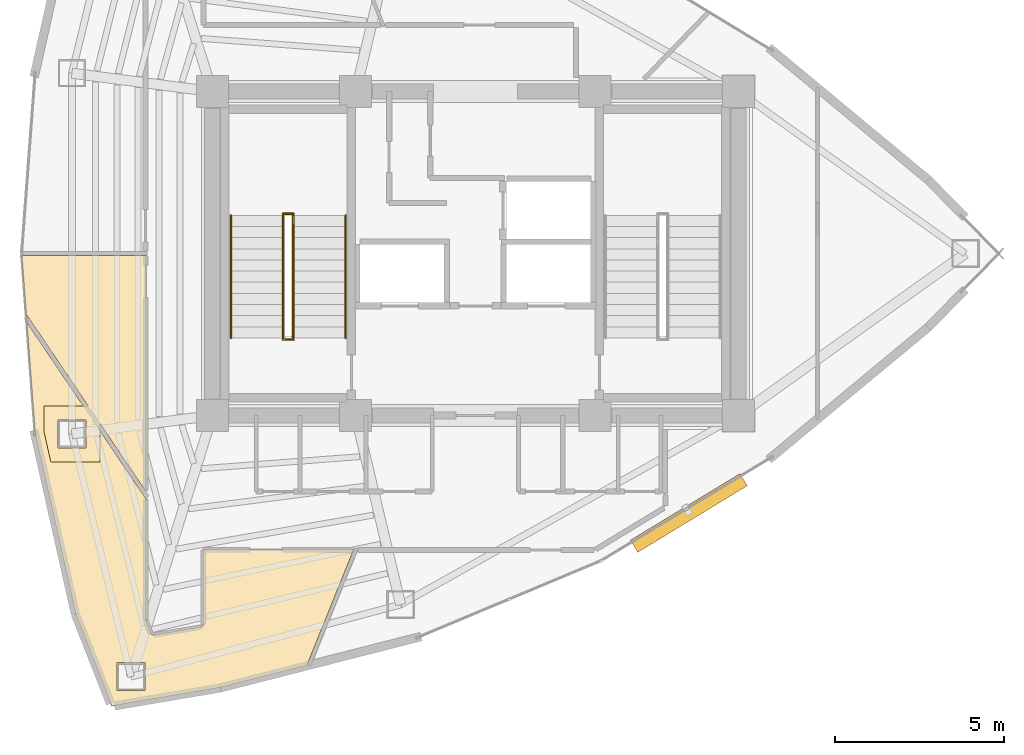
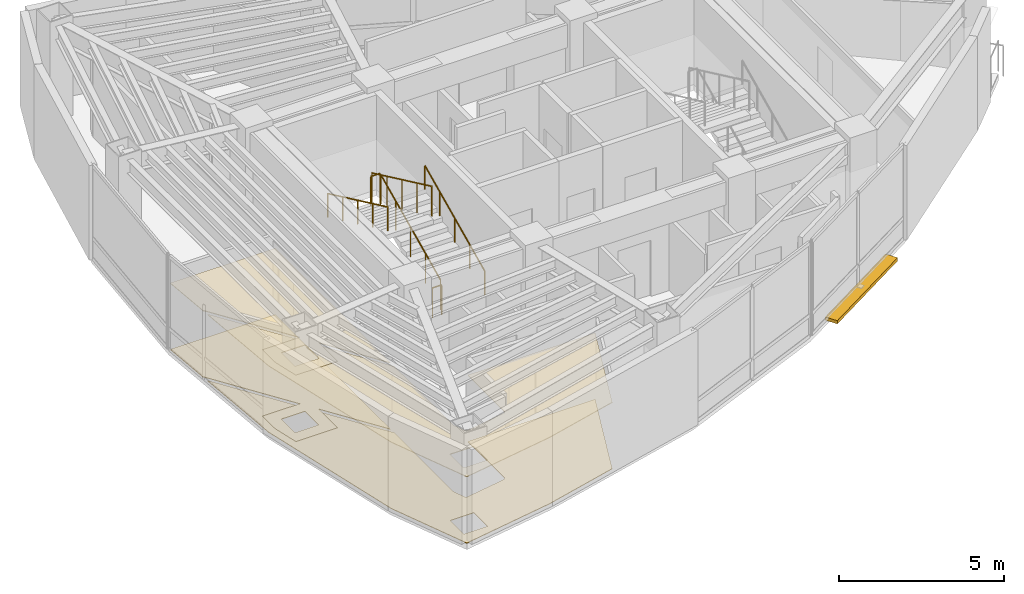
# One storey, part 14 of 15: 6 railings, 4 coverings, 1 shading device.
"""IFC4 building model written with IfcOpenShell, lengths in metres."""

from ifc_helpers import new_model, si_unit, direction, frame, origin, origin_2d, place, context, subcontext, project, spatial, polyline, rectangle, circle, outline, extrude, material, layer, layer_set, type_object, element, save


model = new_model("IFC4")

# Units and contexts
model_context = context("Model", 3, precision=1e-05, world=origin(), true_north=direction((0.0, 1.0)))
body_context = subcontext(model_context, "Body", "Model", "MODEL_VIEW")
ifc_project = project(units=[si_unit("LENGTHUNIT", "METRE"), si_unit("AREAUNIT", "SQUARE_METRE"), si_unit("VOLUMEUNIT", "CUBIC_METRE"), si_unit("PLANEANGLEUNIT", "RADIAN"), si_unit("MASSUNIT", "GRAM", prefix="KILO")], contexts=[model_context])

# Site, building, storey
site_placement = place(None, origin())
site = spatial("IfcSite", under=ifc_project, at=site_placement, CompositionType="ELEMENT")
building_placement = place(site_placement, origin())
building = spatial("IfcBuilding", under=site, at=building_placement, Name="Menara Vayukalpa", CompositionType="ELEMENT")
storey_placement = place(building_placement, frame((0.0, 0.0, 269.4599609375)))
storey = spatial("IfcBuildingStorey", under=building, at=storey_placement, Name="L68", CompositionType="ELEMENT", Elevation=269.4599609375)

# Coverings
ifc_material_1 = material(Name="Mineral Fibre Acoustic Ceiling Tile", Category="masonry")
ifc_layer_1 = layer(ifc_material_1, 0.02490234375)
ifc_layer_set_1 = layer_set([ifc_layer_1], Name="Mineral Fibre Acoustic Ceiling Tile")
covering_type_1 = type_object("IfcCoveringType", Name="COV-CLG1", PredefinedType="CEILING", material=ifc_layer_set_1)
covering_1_placement = place(storey_placement, frame((0.0, 0.0, 2.449951171875)))
element("IfcCovering", 1, at=covering_1_placement, inside=storey, type_object=covering_type_1, Name="L68 Executive Office Suite Acoustic Ceiling", PredefinedType="CEILING", context=body_context, shape_type="SweptSolid", body=[
    extrude(outline(polyline([(12.803955078125, 16.86376953125), (12.803955078125, 17.48828125), (14.115478515625, 17.48828125), (12.31884765625, 20.15185546875), (12.315185546875, 20.15673828125), (12.311279296875, 20.1611328125), (12.306884765625, 20.1650390625), (12.30224609375, 20.16845703125), (12.297119140625, 20.17138671875), (12.291748046875, 20.174072265625), (12.290771484375, 20.174560546875), (12.289794921875, 20.1748046875), (12.288818359375, 20.17529296875), (12.2880859375, 20.176025390625), (12.287353515625, 20.1767578125), (12.28662109375, 20.177490234375), (12.285888671875, 20.17822265625), (12.285400390625, 20.17919921875), (12.284912109375, 20.18017578125), (12.28466796875, 20.180908203125), (12.284423828125, 20.181884765625), (12.2841796875, 20.18310546875), (12.1533203125, 21.92919921875), (12.1533203125, 21.93017578125), (12.1533203125, 21.93115234375), (12.153564453125, 21.93212890625), (12.15380859375, 21.93310546875), (12.154052734375, 21.93408203125), (12.154541015625, 21.934814453125), (12.155029296875, 21.935791015625), (12.155517578125, 21.936279296875), (12.15625, 21.93701171875), (12.156982421875, 21.937744140625), (12.15771484375, 21.9384765625), (12.15869140625, 21.93896484375), (12.159423828125, 21.939208984375), (12.160400390625, 21.939697265625), (12.161376953125, 21.939697265625), (12.162353515625, 21.93994140625), (12.163330078125, 21.93994140625), (15.820068359375, 21.93994140625), (15.821044921875, 21.93994140625), (15.822021484375, 21.939697265625), (15.822998046875, 21.939697265625), (15.82373046875, 21.939208984375), (15.82470703125, 21.938720703125), (15.82568359375, 21.938232421875), (15.826416015625, 21.937744140625), (15.8271484375, 21.93701171875), (15.82763671875, 21.936279296875), (15.828369140625, 21.935546875), (15.828857421875, 21.934814453125), (15.8291015625, 21.933837890625), (15.82958984375, 21.932861328125), (15.829833984375, 21.931884765625), (15.830078125, 21.930908203125), (15.830078125, 21.929931640625), (15.830078125, 14.979248046875), (15.830078125, 14.978271484375), (15.829833984375, 14.977294921875), (15.82958984375, 14.976318359375), (15.8291015625, 14.975341796875), (15.828857421875, 14.974609375), (15.828369140625, 14.9736328125), (15.82763671875, 14.972900390625), (15.8271484375, 14.97216796875), (15.826416015625, 14.971435546875), (15.82568359375, 14.970947265625), (15.82470703125, 14.970458984375), (15.82373046875, 14.969970703125), (15.822998046875, 14.969482421875), (15.822021484375, 14.969482421875), (15.821044921875, 14.96923828125), (15.820068359375, 14.96923828125), (15.819091796875, 14.96923828125), (15.818115234375, 14.969482421875), (15.817138671875, 14.969482421875), (15.816162109375, 14.969970703125), (15.815185546875, 14.970458984375), (15.814453125, 14.970947265625), (15.813720703125, 14.971435546875), (15.81298828125, 14.97216796875), (15.812255859375, 14.972900390625), (15.811767578125, 14.9736328125), (14.47412109375, 16.956787109375), (14.47412109375, 15.818359375), (13.013916015625, 15.818359375), (12.816650390625, 16.694580078125), (12.803955078125, 16.86376953125)]), holes=[polyline([(14.053955078125, 17.068359375), (13.22412109375, 17.068359375), (13.22412109375, 16.23828125), (14.053955078125, 16.23828125), (14.053955078125, 17.068359375)])]), origin(), (0.0, 0.0, 1.0), 0.025146484375),
])
covering_2_placement = place(storey_placement, frame((0.0, 0.0, 2.449951171875)))
element("IfcCovering", 2, at=covering_2_placement, inside=storey, type_object=covering_type_1, Name="L68 Executive Office Suite Acoustic Ceiling", PredefinedType="CEILING", context=body_context, shape_type="SweptSolid", body=[
    extrude(outline(polyline([(14.827392578125, 8.589111328125), (14.826416015625, 8.589111328125), (14.82568359375, 8.58935546875), (14.82470703125, 8.58935546875), (14.82373046875, 8.589599609375), (14.82275390625, 8.590087890625), (14.822021484375, 8.590576171875), (14.821044921875, 8.591064453125), (14.8203125, 8.591552734375), (14.819580078125, 8.59228515625), (14.81884765625, 8.593017578125), (14.818359375, 8.59375), (14.81787109375, 8.5947265625), (14.8173828125, 8.595458984375), (13.751953125, 11.308837890625), (13.751708984375, 11.309814453125), (13.75146484375, 11.310302734375), (12.549072265625, 16.654052734375), (12.548828125, 16.655517578125), (12.303466796875, 19.9267578125), (12.303466796875, 19.927734375), (12.3037109375, 19.9287109375), (12.3037109375, 19.9296875), (12.303955078125, 19.9306640625), (12.30419921875, 19.931396484375), (12.3046875, 19.932373046875), (12.305419921875, 19.93310546875), (12.305908203125, 19.93408203125), (12.306396484375, 19.934814453125), (12.307373046875, 19.935302734375), (12.30810546875, 19.935791015625), (12.308837890625, 19.936279296875), (12.309814453125, 19.936767578125), (12.310791015625, 19.93701171875), (12.3115234375, 19.937255859375), (12.3125, 19.9375), (12.313720703125, 19.9375), (12.314453125, 19.9375), (12.3154296875, 19.937255859375), (12.31640625, 19.93701171875), (12.3173828125, 19.936767578125), (12.318115234375, 19.936279296875), (12.319091796875, 19.935791015625), (12.31982421875, 19.935302734375), (12.320556640625, 19.9345703125), (12.3212890625, 19.933837890625), (12.32177734375, 19.93310546875), (13.970703125, 17.48828125), (14.47412109375, 17.48828125), (14.47412109375, 16.7421875), (15.8203125, 14.74658203125), (15.82373046875, 14.74169921875), (15.827392578125, 14.73779296875), (15.827880859375, 14.737060546875), (15.82861328125, 14.736083984375), (15.8291015625, 14.7353515625), (15.829345703125, 14.734619140625), (15.82958984375, 14.733642578125), (15.829833984375, 14.73291015625), (15.830078125, 14.73193359375), (15.830078125, 14.73095703125), (15.830078125, 11.146484375), (15.830322265625, 11.1396484375), (15.831298828125, 11.13330078125), (15.832763671875, 11.126708984375), (15.8349609375, 11.12060546875), (15.984619140625, 10.7392578125), (15.987548828125, 10.732666015625), (15.990966796875, 10.726806640625), (15.994873046875, 10.72119140625), (15.999267578125, 10.716064453125), (16.00439453125, 10.71142578125), (16.009765625, 10.707275390625), (16.015625, 10.70361328125), (16.021484375, 10.700439453125), (16.02783203125, 10.697998046875), (16.034423828125, 10.6962890625), (16.041259765625, 10.695068359375), (16.048095703125, 10.694580078125), (16.054931640625, 10.694580078125), (16.06201171875, 10.695556640625), (17.471435546875, 10.934814453125), (17.478515625, 10.936279296875), (17.485107421875, 10.938720703125), (17.49169921875, 10.94140625), (17.497802734375, 10.94482421875), (17.50341796875, 10.94921875), (17.5087890625, 10.95361328125), (17.513427734375, 10.958740234375), (17.517822265625, 10.96435546875), (17.521484375, 10.97021484375), (17.5244140625, 10.9765625), (17.52685546875, 10.983154296875), (17.528564453125, 10.989990234375), (17.529541015625, 10.996826171875), (17.530029296875, 11.004150390625), (17.530029296875, 13.2099609375), (17.530029296875, 13.2109375), (17.5302734375, 13.2119140625), (17.530517578125, 13.212890625), (17.53076171875, 13.2138671875), (17.53125, 13.214599609375), (17.53173828125, 13.215576171875), (17.5322265625, 13.21630859375), (17.532958984375, 13.217041015625), (17.53369140625, 13.2177734375), (17.534423828125, 13.21826171875), (17.535400390625, 13.21875), (17.5361328125, 13.21923828125), (17.537109375, 13.219482421875), (17.5380859375, 13.2197265625), (17.5390625, 13.219970703125), (17.5400390625, 13.219970703125), (21.97314453125, 13.219970703125), (21.97412109375, 13.219970703125), (21.97509765625, 13.2197265625), (21.97607421875, 13.219482421875), (21.976806640625, 13.21923828125), (21.977783203125, 13.21875), (21.978515625, 13.21826171875), (21.9794921875, 13.2177734375), (21.97998046875, 13.217041015625), (21.980712890625, 13.21630859375), (21.9814453125, 13.215576171875), (21.98193359375, 13.21484375), (21.982421875, 13.2138671875), (21.982666015625, 13.212890625), (21.98291015625, 13.2119140625), (21.98291015625, 13.2109375), (21.983154296875, 13.210205078125), (21.983154296875, 13.208984375), (21.98291015625, 13.2080078125), (21.982666015625, 13.207275390625), (21.982421875, 13.206298828125), (20.60888671875, 9.80712890625), (20.60693359375, 9.80126953125), (20.605712890625, 9.79541015625), (20.60546875, 9.79443359375), (20.60498046875, 9.793701171875), (20.6044921875, 9.792724609375), (20.60400390625, 9.7919921875), (20.603515625, 9.791015625), (20.602783203125, 9.790283203125), (20.601806640625, 9.789794921875), (20.60107421875, 9.789306640625), (20.60009765625, 9.788818359375), (20.599365234375, 9.788330078125), (20.598388671875, 9.7880859375), (18.028564453125, 9.1328125), (18.027587890625, 9.132568359375), (14.82861328125, 8.58935546875), (14.827392578125, 8.589111328125)]), holes=[polyline([(14.97412109375, 9.870361328125), (14.97412109375, 9.040283203125), (15.80419921875, 9.040283203125), (15.80419921875, 9.870361328125), (14.97412109375, 9.870361328125)]), polyline([(14.053955078125, 17.068359375), (13.22412109375, 17.068359375), (13.22412109375, 16.23828125), (14.053955078125, 16.23828125), (14.053955078125, 17.068359375)])]), origin(), (0.0, 0.0, 1.0), 0.025146484375),
])
ifc_material_2 = material(Name="Porcelain Stoneware Floor Tile", Category="masonry")
ifc_layer_2 = layer(ifc_material_2, 0.02001953125)
ifc_layer_set_2 = layer_set([ifc_layer_2], Name="Porcelain Stoneware Floor Tile")
covering_type_2 = type_object("IfcCoveringType", Name="COV-FLR1", PredefinedType="FLOORING", material=ifc_layer_set_2)
covering_3_placement = place(storey_placement, origin())
element("IfcCovering", 3, at=covering_3_placement, inside=storey, type_object=covering_type_2, Name="L68 Executive Office Suite Porcelain Flooring", PredefinedType="FLOORING", context=body_context, shape_type="SweptSolid", body=[
    extrude(outline(polyline([(12.803955078125, 16.86376953125), (12.803955078125, 17.48828125), (14.115478515625, 17.48828125), (12.31884765625, 20.15185546875), (12.315185546875, 20.15673828125), (12.311279296875, 20.1611328125), (12.306884765625, 20.1650390625), (12.30224609375, 20.16845703125), (12.297119140625, 20.17138671875), (12.291748046875, 20.174072265625), (12.290771484375, 20.174560546875), (12.289794921875, 20.1748046875), (12.288818359375, 20.17529296875), (12.2880859375, 20.176025390625), (12.287353515625, 20.1767578125), (12.28662109375, 20.177490234375), (12.285888671875, 20.17822265625), (12.285400390625, 20.17919921875), (12.284912109375, 20.18017578125), (12.28466796875, 20.180908203125), (12.284423828125, 20.181884765625), (12.2841796875, 20.18310546875), (12.1533203125, 21.92919921875), (12.1533203125, 21.93017578125), (12.1533203125, 21.93115234375), (12.153564453125, 21.93212890625), (12.15380859375, 21.93310546875), (12.154052734375, 21.93408203125), (12.154541015625, 21.934814453125), (12.155029296875, 21.935791015625), (12.155517578125, 21.936279296875), (12.15625, 21.93701171875), (12.156982421875, 21.937744140625), (12.15771484375, 21.9384765625), (12.15869140625, 21.93896484375), (12.159423828125, 21.939208984375), (12.160400390625, 21.939697265625), (12.161376953125, 21.939697265625), (12.162353515625, 21.93994140625), (12.163330078125, 21.93994140625), (15.820068359375, 21.93994140625), (15.821044921875, 21.93994140625), (15.822021484375, 21.939697265625), (15.822998046875, 21.939697265625), (15.82373046875, 21.939208984375), (15.82470703125, 21.938720703125), (15.82568359375, 21.938232421875), (15.826416015625, 21.937744140625), (15.8271484375, 21.93701171875), (15.82763671875, 21.936279296875), (15.828369140625, 21.935546875), (15.828857421875, 21.934814453125), (15.8291015625, 21.933837890625), (15.82958984375, 21.932861328125), (15.829833984375, 21.931884765625), (15.830078125, 21.930908203125), (15.830078125, 21.929931640625), (15.830078125, 14.979248046875), (15.830078125, 14.978271484375), (15.829833984375, 14.977294921875), (15.82958984375, 14.976318359375), (15.8291015625, 14.975341796875), (15.828857421875, 14.974609375), (15.828369140625, 14.9736328125), (15.82763671875, 14.972900390625), (15.8271484375, 14.97216796875), (15.826416015625, 14.971435546875), (15.82568359375, 14.970947265625), (15.82470703125, 14.970458984375), (15.82373046875, 14.969970703125), (15.822998046875, 14.969482421875), (15.822021484375, 14.969482421875), (15.821044921875, 14.96923828125), (15.820068359375, 14.96923828125), (15.819091796875, 14.96923828125), (15.818115234375, 14.969482421875), (15.817138671875, 14.969482421875), (15.816162109375, 14.969970703125), (15.815185546875, 14.970458984375), (15.814453125, 14.970947265625), (15.813720703125, 14.971435546875), (15.81298828125, 14.97216796875), (15.812255859375, 14.972900390625), (15.811767578125, 14.9736328125), (14.47412109375, 16.956787109375), (14.47412109375, 15.818359375), (13.013916015625, 15.818359375), (12.816650390625, 16.694580078125), (12.803955078125, 16.86376953125)]), holes=[polyline([(14.053955078125, 17.068359375), (13.22412109375, 17.068359375), (13.22412109375, 16.23828125), (14.053955078125, 16.23828125), (14.053955078125, 17.068359375)])]), origin(), (0.0, 0.0, 1.0), 0.02001953125),
])
covering_4_placement = place(storey_placement, origin())
element("IfcCovering", 4, at=covering_4_placement, inside=storey, type_object=covering_type_2, Name="L68 Executive Office Suite Porcelain Flooring", PredefinedType="FLOORING", context=body_context, shape_type="SweptSolid", body=[
    extrude(outline(polyline([(14.827392578125, 8.589111328125), (14.826416015625, 8.589111328125), (14.82568359375, 8.58935546875), (14.82470703125, 8.58935546875), (14.82373046875, 8.589599609375), (14.82275390625, 8.590087890625), (14.822021484375, 8.590576171875), (14.821044921875, 8.591064453125), (14.8203125, 8.591552734375), (14.819580078125, 8.59228515625), (14.81884765625, 8.593017578125), (14.818359375, 8.59375), (14.81787109375, 8.5947265625), (14.8173828125, 8.595458984375), (13.751953125, 11.308837890625), (13.751708984375, 11.309814453125), (13.75146484375, 11.310302734375), (12.549072265625, 16.654052734375), (12.548828125, 16.655517578125), (12.303466796875, 19.9267578125), (12.303466796875, 19.927734375), (12.3037109375, 19.9287109375), (12.3037109375, 19.9296875), (12.303955078125, 19.9306640625), (12.30419921875, 19.931396484375), (12.3046875, 19.932373046875), (12.305419921875, 19.93310546875), (12.305908203125, 19.93408203125), (12.306396484375, 19.934814453125), (12.307373046875, 19.935302734375), (12.30810546875, 19.935791015625), (12.308837890625, 19.936279296875), (12.309814453125, 19.936767578125), (12.310791015625, 19.93701171875), (12.3115234375, 19.937255859375), (12.3125, 19.9375), (12.313720703125, 19.9375), (12.314453125, 19.9375), (12.3154296875, 19.937255859375), (12.31640625, 19.93701171875), (12.3173828125, 19.936767578125), (12.318115234375, 19.936279296875), (12.319091796875, 19.935791015625), (12.31982421875, 19.935302734375), (12.320556640625, 19.9345703125), (12.3212890625, 19.933837890625), (12.32177734375, 19.93310546875), (13.970703125, 17.48828125), (14.47412109375, 17.48828125), (14.47412109375, 16.7421875), (15.8203125, 14.74658203125), (15.82373046875, 14.74169921875), (15.827392578125, 14.73779296875), (15.827880859375, 14.737060546875), (15.82861328125, 14.736083984375), (15.8291015625, 14.7353515625), (15.829345703125, 14.734619140625), (15.82958984375, 14.733642578125), (15.829833984375, 14.73291015625), (15.830078125, 14.73193359375), (15.830078125, 14.73095703125), (15.830078125, 11.146484375), (15.830322265625, 11.1396484375), (15.831298828125, 11.13330078125), (15.832763671875, 11.126708984375), (15.8349609375, 11.12060546875), (15.984619140625, 10.7392578125), (15.987548828125, 10.732666015625), (15.990966796875, 10.726806640625), (15.994873046875, 10.72119140625), (15.999267578125, 10.716064453125), (16.00439453125, 10.71142578125), (16.009765625, 10.707275390625), (16.015625, 10.70361328125), (16.021484375, 10.700439453125), (16.02783203125, 10.697998046875), (16.034423828125, 10.6962890625), (16.041259765625, 10.695068359375), (16.048095703125, 10.694580078125), (16.054931640625, 10.694580078125), (16.06201171875, 10.695556640625), (17.471435546875, 10.934814453125), (17.478515625, 10.936279296875), (17.485107421875, 10.938720703125), (17.49169921875, 10.94140625), (17.497802734375, 10.94482421875), (17.50341796875, 10.94921875), (17.5087890625, 10.95361328125), (17.513427734375, 10.958740234375), (17.517822265625, 10.96435546875), (17.521484375, 10.97021484375), (17.5244140625, 10.9765625), (17.52685546875, 10.983154296875), (17.528564453125, 10.989990234375), (17.529541015625, 10.996826171875), (17.530029296875, 11.004150390625), (17.530029296875, 13.2099609375), (17.530029296875, 13.2109375), (17.5302734375, 13.2119140625), (17.530517578125, 13.212890625), (17.53076171875, 13.2138671875), (17.53125, 13.214599609375), (17.53173828125, 13.215576171875), (17.5322265625, 13.21630859375), (17.532958984375, 13.217041015625), (17.53369140625, 13.2177734375), (17.534423828125, 13.21826171875), (17.535400390625, 13.21875), (17.5361328125, 13.21923828125), (17.537109375, 13.219482421875), (17.5380859375, 13.2197265625), (17.5390625, 13.219970703125), (17.5400390625, 13.219970703125), (21.97314453125, 13.219970703125), (21.97412109375, 13.219970703125), (21.97509765625, 13.2197265625), (21.97607421875, 13.219482421875), (21.976806640625, 13.21923828125), (21.977783203125, 13.21875), (21.978515625, 13.21826171875), (21.9794921875, 13.2177734375), (21.97998046875, 13.217041015625), (21.980712890625, 13.21630859375), (21.9814453125, 13.215576171875), (21.98193359375, 13.21484375), (21.982421875, 13.2138671875), (21.982666015625, 13.212890625), (21.98291015625, 13.2119140625), (21.98291015625, 13.2109375), (21.983154296875, 13.210205078125), (21.983154296875, 13.208984375), (21.98291015625, 13.2080078125), (21.982666015625, 13.207275390625), (21.982421875, 13.206298828125), (20.60888671875, 9.80712890625), (20.60693359375, 9.80126953125), (20.605712890625, 9.79541015625), (20.60546875, 9.79443359375), (20.60498046875, 9.793701171875), (20.6044921875, 9.792724609375), (20.60400390625, 9.7919921875), (20.603515625, 9.791015625), (20.602783203125, 9.790283203125), (20.601806640625, 9.789794921875), (20.60107421875, 9.789306640625), (20.60009765625, 9.788818359375), (20.599365234375, 9.788330078125), (20.598388671875, 9.7880859375), (18.028564453125, 9.1328125), (18.027587890625, 9.132568359375), (14.82861328125, 8.58935546875), (14.827392578125, 8.589111328125)]), holes=[polyline([(14.97412109375, 9.870361328125), (14.97412109375, 9.040283203125), (15.80419921875, 9.040283203125), (15.80419921875, 9.870361328125), (14.97412109375, 9.870361328125)]), polyline([(14.053955078125, 17.068359375), (13.22412109375, 17.068359375), (13.22412109375, 16.23828125), (14.053955078125, 16.23828125), (14.053955078125, 17.068359375)])]), origin(), (0.0, 0.0, 1.0), 0.02001953125),
])

# Railings
ifc_material_3 = material(Name="Powder-Coated Galvanised Steel Guardrail", Category="steel")
railing_type_1 = type_object("IfcRailingType", Name="RLG-STG110", PredefinedType="GUARDRAIL", material=ifc_material_3)
railing_1_placement = place(storey_placement, frame((20.199951171875, 19.5, 0.155029296875)))
element("IfcRailing", 5, at=railing_1_placement, inside=storey, type_object=railing_type_1, Name="L68 ST-1 stair guard 1", PredefinedType="GUARDRAIL", context=body_context, shape_type="SweptSolid", body=[
    extrude(circle(Radius=0.02392578125, at=origin_2d()), frame((0.0, 0.0, 1.09619140625), z_axis=(0.0, 0.90511648382, 0.425163675209), x_axis=(-1.0, 0.0, 0.0)), (0.0, 0.0, 1.0), 4.010498046875),
    extrude(circle(Radius=0.02099609375, at=origin_2d()), origin(), (0.0, 0.0, 1.0), 1.072021484375),
    extrude(circle(Radius=0.02099609375, at=origin_2d()), frame((0.0, 0.907470703125, 0.42626953125)), (0.0, 0.0, 1.0), 1.072021484375),
    extrude(circle(Radius=0.02099609375, at=origin_2d()), frame((0.0, 1.81494140625, 0.8525390625)), (0.0, 0.0, 1.0), 1.072021484375),
    extrude(circle(Radius=0.02099609375, at=origin_2d()), frame((0.0, 2.722412109375, 1.27880859375)), (0.0, 0.0, 1.0), 1.072021484375),
    extrude(circle(Radius=0.02099609375, at=origin_2d()), frame((0.0, 3.6298828125, 1.705078125)), (0.0, 0.0, 1.0), 1.072021484375),
])
railing_2_placement = place(storey_placement, frame((20.2099609375, 23.179931640625, 1.860107421875)))
element("IfcRailing", 6, at=railing_2_placement, inside=storey, type_object=railing_type_1, Name="L68 ST-1 stair guard 2", PredefinedType="GUARDRAIL", context=body_context, shape_type="SweptSolid", body=[
    extrude(circle(Radius=0.02392578125, at=origin_2d()), frame((0.0, 0.0, 1.09619140625), z_axis=(-1.0, 0.0, 0.0), x_axis=(0.0, -1.0, 0.0)), (0.0, 0.0, 1.0), 0.320068359375),
    extrude(circle(Radius=0.02099609375, at=origin_2d()), origin(), (0.0, 0.0, 1.0), 1.072021484375),
    extrude(circle(Radius=0.02099609375, at=origin_2d()), frame((-0.320068359375, 0.0, 0.0)), (0.0, 0.0, 1.0), 1.072021484375),
])
railing_3_placement = place(storey_placement, frame((19.89990234375, 23.1298828125, 2.01513671875)))
element("IfcRailing", 7, at=railing_3_placement, inside=storey, type_object=railing_type_1, Name="L68 ST-1 stair guard 3", PredefinedType="GUARDRAIL", context=body_context, shape_type="SweptSolid", body=[
    extrude(circle(Radius=0.02392578125, at=origin_2d()), frame((0.0, 0.0, 1.09619140625), z_axis=(0.0, -0.90513990983, 0.425113800803), x_axis=(1.0, 0.0, 0.0)), (0.0, 0.0, 1.0), 4.01025390625),
    extrude(circle(Radius=0.02099609375, at=origin_2d()), origin(), (0.0, 0.0, 1.0), 1.072021484375),
    extrude(circle(Radius=0.02099609375, at=origin_2d()), frame((0.0, -0.907470703125, 0.42626953125)), (0.0, 0.0, 1.0), 1.072021484375),
    extrude(circle(Radius=0.02099609375, at=origin_2d()), frame((0.0, -1.81494140625, 0.8525390625)), (0.0, 0.0, 1.0), 1.072021484375),
    extrude(circle(Radius=0.02099609375, at=origin_2d()), frame((0.0, -2.722412109375, 1.278564453125)), (0.0, 0.0, 1.0), 1.072021484375),
    extrude(circle(Radius=0.02099609375, at=origin_2d()), frame((0.0, -3.6298828125, 1.704833984375)), (0.0, 0.0, 1.0), 1.072021484375),
])
railing_4_placement = place(storey_placement, frame((20.2099609375, 19.449951171875, 0.0)))
element("IfcRailing", 8, at=railing_4_placement, inside=storey, type_object=railing_type_1, Name="L68 ST-1 stair guard 4", PredefinedType="GUARDRAIL", context=body_context, shape_type="SweptSolid", body=[
    extrude(circle(Radius=0.02392578125, at=origin_2d()), frame((0.0, 0.0, 1.09619140625), z_axis=(-1.0, 0.0, 0.0), x_axis=(0.0, -1.0, 0.0)), (0.0, 0.0, 1.0), 0.320068359375),
    extrude(circle(Radius=0.02099609375, at=origin_2d()), origin(), (0.0, 0.0, 1.0), 1.072021484375),
    extrude(circle(Radius=0.02099609375, at=origin_2d()), frame((-0.320068359375, 0.0, 0.0)), (0.0, 0.0, 1.0), 1.072021484375),
])
ifc_material_4 = material(Name="Stainless Steel 316 Tubular Handrail", Category="steel")
railing_type_2 = type_object("IfcRailingType", Name="RLG-STH090", PredefinedType="HANDRAIL", material=ifc_material_4)
railing_5_placement = place(storey_placement, frame((21.75, 19.5, 0.155029296875)))
element("IfcRailing", 9, at=railing_5_placement, inside=storey, type_object=railing_type_2, Name="L68 ST-1 stair handrail 1", PredefinedType="HANDRAIL", context=body_context, shape_type="SweptSolid", body=[
    extrude(circle(Radius=0.02392578125, at=origin_2d()), frame((0.0, 0.0, 0.8759765625), z_axis=(0.0, 0.90511648382, 0.425163675209), x_axis=(-1.0, 0.0, 0.0)), (0.0, 0.0, 1.0), 4.010498046875),
    extrude(circle(Radius=0.02099609375, at=origin_2d()), origin(), (0.0, 0.0, 1.0), 0.851806640625),
    extrude(circle(Radius=0.02099609375, at=origin_2d()), frame((0.0, 0.907470703125, 0.42626953125)), (0.0, 0.0, 1.0), 0.851806640625),
    extrude(circle(Radius=0.02099609375, at=origin_2d()), frame((0.0, 1.81494140625, 0.8525390625)), (0.0, 0.0, 1.0), 0.851806640625),
    extrude(circle(Radius=0.02099609375, at=origin_2d()), frame((0.0, 2.722412109375, 1.27880859375)), (0.0, 0.0, 1.0), 0.851806640625),
    extrude(circle(Radius=0.02099609375, at=origin_2d()), frame((0.0, 3.6298828125, 1.705078125)), (0.0, 0.0, 1.0), 0.851806640625),
])
railing_6_placement = place(storey_placement, frame((18.35009765625, 23.1298828125, 2.01513671875)))
element("IfcRailing", 10, at=railing_6_placement, inside=storey, type_object=railing_type_2, Name="L68 ST-1 stair handrail 2", PredefinedType="HANDRAIL", context=body_context, shape_type="SweptSolid", body=[
    extrude(circle(Radius=0.02392578125, at=origin_2d()), frame((0.0, 0.0, 0.8759765625), z_axis=(0.0, -0.90513990983, 0.425113800803), x_axis=(1.0, 0.0, 0.0)), (0.0, 0.0, 1.0), 4.01025390625),
    extrude(circle(Radius=0.02099609375, at=origin_2d()), origin(), (0.0, 0.0, 1.0), 0.851806640625),
    extrude(circle(Radius=0.02099609375, at=origin_2d()), frame((0.0, -0.907470703125, 0.42626953125)), (0.0, 0.0, 1.0), 0.851806640625),
    extrude(circle(Radius=0.02099609375, at=origin_2d()), frame((0.0, -1.81494140625, 0.8525390625)), (0.0, 0.0, 1.0), 0.851806640625),
    extrude(circle(Radius=0.02099609375, at=origin_2d()), frame((0.0, -2.722412109375, 1.278564453125)), (0.0, 0.0, 1.0), 0.851806640625),
    extrude(circle(Radius=0.02099609375, at=origin_2d()), frame((0.0, -3.6298828125, 1.704833984375)), (0.0, 0.0, 1.0), 0.851806640625),
])

# Shading device
ifc_material_5 = material(Name="Glazed Terracotta Ceramic Baguette Extrusion", Category="masonry")
ifc_layer_3 = layer(ifc_material_5, 0.1201171875)
ifc_layer_set_3 = layer_set([ifc_layer_3], Name="Glazed Terracotta Ceramic Baguette Extrusion")
shading_device_type = type_object("IfcShadingDeviceType", Name="SHD-SS1", PredefinedType="USERDEFINED", material=ifc_layer_set_3)
shading_device_placement = place(storey_placement, frame((31.927978515625, 14.30859375, -0.10009765625), z_axis=(0.0, 0.0, 1.0), x_axis=(0.85466730962, 0.519176068272, 0.0)))
element("IfcShadingDevice", 11, at=shading_device_placement, inside=storey, type_object=shading_device_type, Name="L68 Horizontal Terracotta Sunshade Band 17", ObjectType="SUNSHADE", PredefinedType="USERDEFINED", context=body_context, shape_type="SweptSolid", body=[
    extrude(rectangle(XDim=3.800048828125, YDim=0.419921875, at=origin_2d()), origin(), (0.0, 0.0, 1.0), 0.1201171875),
])

save(model, "model.ifc")
